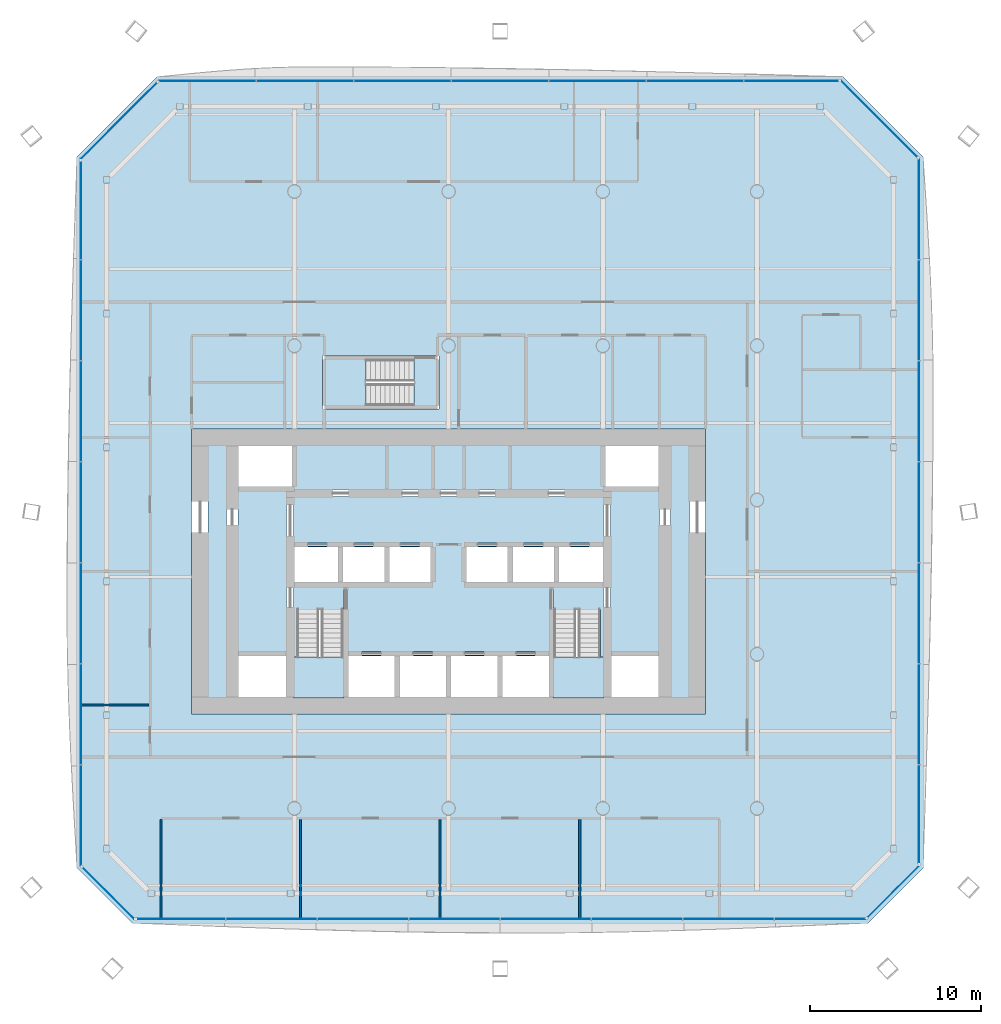
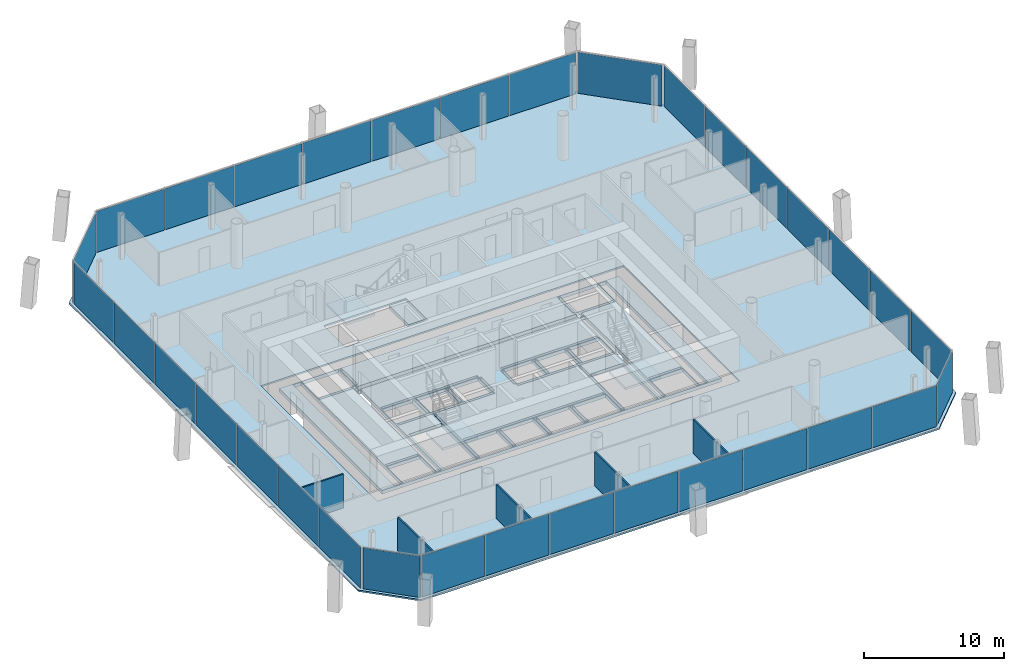
# One storey, part 10 of 19: 33 plates, 6 slabs, 5 walls, 11 elements without a shape of their own.
"""IFC4 building model written with IfcOpenShell, lengths in metres."""

import ifcopenshell
import ifcopenshell.guid

model = None  # the IFC model being written
_history = None  # IfcOwnerHistory: only IFC2X3 demands one
_inside = {}  # id of a spatial element -> (the spatial element, [elements in it])
_under = {}  # id of a project, library or spatial element -> (it, [spatial elements below it])
_declared = {}  # id of a project -> (the project, [libraries it declares])
_typed = {}  # id of a type object -> (the type object, [elements of that type])
_made_of = {}  # id of a material, layer set ... -> (it, [elements and type objects made of it])


def new_model(schema):
    """Start an empty IFC model of exactly this schema.

    Asked for "IFC4X3", IfcOpenShell would pick the latest addendum, in which some entities
    have other attributes; the version numbers below select the first issue.
    IFC2X3 requires an IfcOwnerHistory on every rooted entity: one is made here for all.
    """
    global model, _history
    if schema == "IFC4X3":
        model = ifcopenshell.file(schema_version=(4, 3, 0, 0))
    else:
        model = ifcopenshell.file(schema=schema)
    _inside.clear()
    _under.clear()
    _declared.clear()
    _typed.clear()
    _made_of.clear()
    _history = None
    if model.schema == "IFC2X3":
        org = make("IfcOrganization", Name="unknown")
        user = make(
            "IfcPersonAndOrganization",
            ThePerson=make("IfcPerson", FamilyName="unknown"),
            TheOrganization=org,
        )
        app = make(
            "IfcApplication",
            ApplicationDeveloper=org,
            Version="unknown",
            ApplicationFullName="unknown",
            ApplicationIdentifier="unknown",
        )
        _history = make(
            "IfcOwnerHistory",
            OwningUser=user,
            OwningApplication=app,
            ChangeAction="ADDED",
            CreationDate=0,
        )
    return model


def make(cls, **values):
    """One entity of the class cls with the attributes given. An attribute that is None is left unset."""
    return model.create_entity(
        cls, **{name: value for name, value in values.items() if value is not None}
    )


def rooted(cls, **values):
    """An entity with a GlobalId (a new one), such as an element, a storey or a relation."""
    return make(cls, GlobalId=ifcopenshell.guid.new(), OwnerHistory=_history, **values)


def si_unit(unit_type, name, prefix=None):
    """IfcSIUnit, for example si_unit("LENGTHUNIT", "METRE", prefix="MILLI")."""
    return make("IfcSIUnit", UnitType=unit_type, Prefix=prefix, Name=name)


def assignment(units):
    """IfcUnitAssignment: the units of a project."""
    return None if units is None else make("IfcUnitAssignment", Units=units)


def point(xyz):
    """IfcCartesianPoint."""
    return None if xyz is None else make("IfcCartesianPoint", Coordinates=xyz)


def direction(xyz):
    """IfcDirection."""
    return None if xyz is None else make("IfcDirection", DirectionRatios=xyz)


def frame(location, z_axis=None, x_axis=None):
    """IfcAxis2Placement3D, a coordinate frame: its origin and axes. An axis left out is left unset."""
    return make(
        "IfcAxis2Placement3D",
        Location=point(location),
        Axis=direction(z_axis),
        RefDirection=direction(x_axis),
    )


def frame_2d(location, x_axis=None):
    """IfcAxis2Placement2D, a coordinate frame in the plane: its origin and x axis."""
    return make(
        "IfcAxis2Placement2D", Location=point(location), RefDirection=direction(x_axis)
    )


def origin():
    """The frame at (0, 0, 0) with its axes left unset."""
    return frame((0.0, 0.0, 0.0))


def origin_2d():
    """The frame at (0, 0) in the plane with its x axis left unset."""
    return frame_2d((0.0, 0.0))


def place(relative_to, where):
    """IfcLocalPlacement: puts the frame where relative to a parent placement (None: the world)."""
    return make(
        "IfcLocalPlacement", PlacementRelTo=relative_to, RelativePlacement=where
    )


def context(
    kind, dimensions, precision=None, world=None, true_north=None, identifier=None
):
    """IfcGeometricRepresentationContext, for example the 3D "Model" context."""
    return make(
        "IfcGeometricRepresentationContext",
        ContextIdentifier=identifier,
        ContextType=kind,
        CoordinateSpaceDimension=dimensions,
        Precision=precision,
        WorldCoordinateSystem=world,
        TrueNorth=true_north,
    )


def subcontext(parent, identifier, kind, view, scale=None):
    """IfcGeometricRepresentationSubContext, for example "Body" below "Model"."""
    return make(
        "IfcGeometricRepresentationSubContext",
        ContextIdentifier=identifier,
        ContextType=kind,
        ParentContext=parent,
        TargetScale=scale,
        TargetView=view,
    )


def project(units=None, contexts=None):
    """IfcProject with its units and contexts."""
    return rooted(
        "IfcProject",
        Name="project",
        RepresentationContexts=contexts,
        UnitsInContext=assignment(units),
    )


def spatial(cls, under=None, at=None, **own):
    """A site, building, storey or space (cls), placed at a placement, below another one or the project."""
    s = rooted(cls, ObjectPlacement=at, **own)
    if under is not None:
        _under.setdefault(under.id(), (under, []))[1].append(s)
    return s


def polyline(points):
    """IfcPolyline through the points."""
    return make("IfcPolyline", Points=[point(p) for p in points])


def profile(cls, at=None, kind="AREA", **sizes):
    """A parametric profile (cls). Its sizes go by their IFC names, for example OverallWidth=200.0."""
    return make(cls, ProfileType=kind, Position=at, **sizes)


def rectangle(**sizes):
    """IfcRectangleProfileDef."""
    return profile("IfcRectangleProfileDef", **sizes)


def outline(outer, holes=None, kind="AREA"):
    """IfcArbitraryClosedProfileDef: a profile drawn as a closed curve; with holes, ...WithVoids."""
    if holes is None:
        return make("IfcArbitraryClosedProfileDef", ProfileType=kind, OuterCurve=outer)
    return make(
        "IfcArbitraryProfileDefWithVoids",
        ProfileType=kind,
        OuterCurve=outer,
        InnerCurves=holes,
    )


def extrude(swept, where, along, depth):
    """IfcExtrudedAreaSolid: the profile swept, set in the frame where, extruded along a direction by depth."""
    return make(
        "IfcExtrudedAreaSolid",
        SweptArea=swept,
        Position=where,
        ExtrudedDirection=direction(along),
        Depth=depth,
    )


def shape(context_of_items, identifier, shape_type, items):
    """IfcShapeRepresentation: the items that make up one representation, for example the "Body"."""
    return make(
        "IfcShapeRepresentation",
        ContextOfItems=context_of_items,
        RepresentationIdentifier=identifier,
        RepresentationType=shape_type,
        Items=items,
    )


def material(Name=None, Category=None):
    """IfcMaterial."""
    return make("IfcMaterial", Name=Name, Category=Category)


def layer(
    of_material, thickness, ventilated=None, Name=None, Category=None, Priority=None
):
    """IfcMaterialLayer: one layer of a wall or slab, of a material (None: an air gap)."""
    return make(
        "IfcMaterialLayer",
        Material=of_material,
        LayerThickness=thickness,
        IsVentilated=ventilated,
        Name=Name,
        Category=Category,
        Priority=Priority,
    )


def layer_set(layers, Name=None):
    """IfcMaterialLayerSet."""
    return make("IfcMaterialLayerSet", MaterialLayers=layers, LayerSetName=Name)


def made_of(thing, what):
    """Note that an element or type object is made of a material, layer set ...; save() writes the relation."""
    if what is not None:
        _made_of.setdefault(what.id(), (what, []))[1].append(thing)
    return thing


def type_object(cls, material=None, **own):
    """A type object (cls), such as IfcWallType, which elements share."""
    return made_of(rooted(cls, **own), material)


def element(
    cls,
    number,
    at=None,
    inside=None,
    cuts=None,
    type_object=None,
    material=None,
    context=None,
    identifier="Body",
    shape_type=None,
    held_by="IfcProductDefinitionShape",
    body=None,
    shapes=None,
    **own,
):
    """One element of the class cls, such as IfcWall. Its Tag is "e" and its number.

    at: its placement. inside: the storey or other place that contains it. cuts: it is an
    opening in that element (IfcRelVoidsElement). A single representation is given by context,
    identifier, shape_type and body (its items); several are given by shapes. held_by: the class
    of the entity that holds the representations. save() writes the other relations.
    """
    e = rooted(cls, Tag="e%d" % number, ObjectPlacement=at, **own)
    if body is not None:
        shapes = [shape(context, identifier, shape_type, body)]
    if shapes is not None:
        e.Representation = make(held_by, Representations=shapes)
    if inside is not None:
        _inside.setdefault(inside.id(), (inside, []))[1].append(e)
    if cuts is not None:
        rooted(
            "IfcRelVoidsElement", RelatingBuildingElement=cuts, RelatedOpeningElement=e
        )
    if type_object is not None:
        _typed.setdefault(type_object.id(), (type_object, []))[1].append(e)
    return made_of(e, material)


def aggregate(whole, parts):
    """IfcRelAggregates: a whole, such as a stair, and the parts it consists of."""
    return rooted("IfcRelAggregates", RelatingObject=whole, RelatedObjects=parts)


def save(model, path):
    """Write the relations noted so far, then the file.

    IfcRelAggregates (storeys below a building ...), IfcRelContainedInSpatialStructure (elements
    in a storey), IfcRelDefinesByType, IfcRelAssociatesMaterial and IfcRelDeclares: one each for
    every whole, place, type object, material and project.
    """
    for whole, parts in _under.values():
        aggregate(whole, parts)
    for where, things in _inside.values():
        rooted(
            "IfcRelContainedInSpatialStructure",
            RelatedElements=things,
            RelatingStructure=where,
        )
    for kind, things in _typed.values():
        rooted("IfcRelDefinesByType", RelatedObjects=things, RelatingType=kind)
    for what, things in _made_of.values():
        rooted("IfcRelAssociatesMaterial", RelatedObjects=things, RelatingMaterial=what)
    for by, libraries in _declared.values():
        rooted("IfcRelDeclares", RelatingContext=by, RelatedDefinitions=libraries)
    model.write(path)


model = new_model("IFC4")

# Units and contexts
model_context = context("Model", 3, precision=1e-05, world=origin(), true_north=direction((0.0, 1.0)))
body_context = subcontext(model_context, "Body", "Model", "MODEL_VIEW")
ifc_project = project(units=[si_unit("LENGTHUNIT", "METRE"), si_unit("AREAUNIT", "SQUARE_METRE"), si_unit("VOLUMEUNIT", "CUBIC_METRE"), si_unit("PLANEANGLEUNIT", "RADIAN"), si_unit("MASSUNIT", "GRAM", prefix="KILO")], contexts=[model_context])

# Site, building, storey
site_placement = place(None, origin())
site = spatial("IfcSite", under=ifc_project, at=site_placement, CompositionType="ELEMENT")
building_placement = place(site_placement, origin())
building = spatial("IfcBuilding", under=site, at=building_placement, Name="Tskaro Facet Tower", CompositionType="ELEMENT")
storey_placement = place(building_placement, frame((0.0, 0.0, 89.39990234375)))
storey = spatial("IfcBuildingStorey", under=building, at=storey_placement, Name="L21", CompositionType="ELEMENT", Elevation=89.39990234375)

# Slab
ifc_material_1 = material(Name="Concrete C30/37", Category="concrete")
ifc_layer_1 = layer(ifc_material_1, 0.139892578125, Name="Concrete C30/37")
ifc_layer_set_1 = layer_set([ifc_layer_1], Name="Concrete C30/37")
slab_type_1 = type_object("IfcSlabType", Name="Composite deck floor slab", PredefinedType="FLOOR", material=ifc_layer_set_1)
slab_1_placement = place(storey_placement, frame((0.0, 0.0, -0.139892578125)))
element("IfcSlab", 1, at=slab_1_placement, inside=storey, type_object=slab_type_1, Name="Floor slab FS3 L21", PredefinedType="FLOOR", context=body_context, shape_type="SweptSolid", body=[
    extrude(outline(polyline([(-18.451904296875, -24.712890625), (24.451904296875, -24.712890625), (27.712890625, -21.451904296875), (27.712890625, 20.01708984375), (23.01708984375, 24.712890625), (-17.01708984375, 24.712890625), (-21.712890625, 20.01708984375), (-21.712890625, -21.451904296875), (-18.451904296875, -24.712890625)]), holes=[polyline([(-15.0, -12.5), (15.0, -12.5), (15.0, 4.14990234375), (-15.0, 4.14990234375), (-15.0, -12.5)]), polyline([(-7.35009765625, 5.300048828125), (-0.550048828125, 5.300048828125), (-0.550048828125, 8.39990234375), (-7.35009765625, 8.39990234375), (-7.35009765625, 5.300048828125)])]), origin(), (0.0, 0.0, 1.0), 0.139892578125),
])

# Curtain wall, plates
ifc_material_2 = material(Name="Bronze anodised aluminium 6063-T6", Category="aluminium")
curtain_wall_type = type_object("IfcCurtainWallType", Name="Bronze office curtain wall (FW1)", PredefinedType="NOTDEFINED", material=ifc_material_2)
curtain_wall_1_placement = place(storey_placement, origin())
curtain_wall_1 = element("IfcCurtainWall", 2, at=curtain_wall_1_placement, inside=storey, type_object=curtain_wall_type, Name="FW1 south facet L21", PredefinedType="NOTDEFINED")
ifc_material_3 = material(Name="Bronze tinted glass", Category="glass")
ifc_layer_2 = layer(ifc_material_3, 0.031982421875, Name="Bronze tinted glass")
ifc_layer_set_2 = layer_set([ifc_layer_2], Name="Bronze tinted glass")
plate_type = type_object("IfcPlateType", Name="FW1 bronze-tinted unit glazing 32", PredefinedType="CURTAIN_PANEL", material=ifc_layer_set_2)
plate_1_placement = place(storey_placement, frame((-15.614501953125, -24.462890625, 0.0), z_axis=(0.0, 0.0, 1.0), x_axis=(1.0, 0.0, 0.0)))
plate_1 = element("IfcPlate", 3, at=plate_1_placement, type_object=plate_type, Name="FW1 south glazing 1.1", PredefinedType="CURTAIN_PANEL", context=body_context, shape_type="SweptSolid", body=[
    extrude(rectangle(XDim=5.14697265625, YDim=0.031982421875, at=origin_2d()), origin(), (0.0, 0.0, 1.0), 3.60009765625),
])
plate_2_placement = place(storey_placement, frame((-10.342529296875, -24.462890625, 0.0), z_axis=(0.0, 0.0, 1.0), x_axis=(1.0, 0.0, 0.0)))
plate_2 = element("IfcPlate", 4, at=plate_2_placement, type_object=plate_type, Name="FW1 south glazing 2.1", PredefinedType="CURTAIN_PANEL", context=body_context, shape_type="SweptSolid", body=[
    extrude(rectangle(XDim=5.277099609375, YDim=0.031982421875, at=origin_2d()), origin(), (0.0, 0.0, 1.0), 3.60009765625),
])
plate_3_placement = place(storey_placement, frame((-5.005615234375, -24.462890625, 0.0), z_axis=(0.0, 0.0, 1.0), x_axis=(1.0, 0.0, 0.0)))
plate_3 = element("IfcPlate", 5, at=plate_3_placement, type_object=plate_type, Name="FW1 south glazing 3.1", PredefinedType="CURTAIN_PANEL", context=body_context, shape_type="SweptSolid", body=[
    extrude(rectangle(XDim=5.277099609375, YDim=0.031982421875, at=origin_2d()), origin(), (0.0, 0.0, 1.0), 3.60009765625),
])
plate_4_placement = place(storey_placement, frame((0.33154296875, -24.462890625, 0.0), z_axis=(0.0, 0.0, 1.0), x_axis=(1.0, 0.0, 0.0)))
plate_4 = element("IfcPlate", 6, at=plate_4_placement, type_object=plate_type, Name="FW1 south glazing 4.1", PredefinedType="CURTAIN_PANEL", context=body_context, shape_type="SweptSolid", body=[
    extrude(rectangle(XDim=5.277099609375, YDim=0.031982421875, at=origin_2d()), origin(), (0.0, 0.0, 1.0), 3.60009765625),
])
plate_5_placement = place(storey_placement, frame((5.66845703125, -24.462890625, 0.0), z_axis=(0.0, 0.0, 1.0), x_axis=(1.0, 0.0, 0.0)))
plate_5 = element("IfcPlate", 7, at=plate_5_placement, type_object=plate_type, Name="FW1 south glazing 5.1", PredefinedType="CURTAIN_PANEL", context=body_context, shape_type="SweptSolid", body=[
    extrude(rectangle(XDim=5.277099609375, YDim=0.031982421875, at=origin_2d()), origin(), (0.0, 0.0, 1.0), 3.60009765625),
])
plate_6_placement = place(storey_placement, frame((11.005615234375, -24.462890625, 0.0), z_axis=(0.0, 0.0, 1.0), x_axis=(1.0, 0.0, 0.0)))
plate_6 = element("IfcPlate", 8, at=plate_6_placement, type_object=plate_type, Name="FW1 south glazing 6.1", PredefinedType="CURTAIN_PANEL", context=body_context, shape_type="SweptSolid", body=[
    extrude(rectangle(XDim=5.277099609375, YDim=0.031982421875, at=origin_2d()), origin(), (0.0, 0.0, 1.0), 3.60009765625),
])
plate_7_placement = place(storey_placement, frame((16.342529296875, -24.462890625, 0.0), z_axis=(0.0, 0.0, 1.0), x_axis=(1.0, 0.0, 0.0)))
plate_7 = element("IfcPlate", 9, at=plate_7_placement, type_object=plate_type, Name="FW1 south glazing 7.1", PredefinedType="CURTAIN_PANEL", context=body_context, shape_type="SweptSolid", body=[
    extrude(rectangle(XDim=5.277099609375, YDim=0.031982421875, at=origin_2d()), origin(), (0.0, 0.0, 1.0), 3.60009765625),
])
plate_8_placement = place(storey_placement, frame((21.694580078125, -24.462890625, 0.0), z_axis=(0.0, 0.0, 1.0), x_axis=(1.0, 0.0, 0.0)))
plate_8 = element("IfcPlate", 10, at=plate_8_placement, type_object=plate_type, Name="FW1 south glazing 8.1", PredefinedType="CURTAIN_PANEL", context=body_context, shape_type="SweptSolid", body=[
    extrude(rectangle(XDim=5.306884765625, YDim=0.031982421875, at=origin_2d()), origin(), (0.0, 0.0, 1.0), 3.60009765625),
])
aggregate(curtain_wall_1, [plate_1, plate_2, plate_3, plate_4, plate_5, plate_6, plate_7, plate_8])

# Curtain wall, plate
curtain_wall_2_placement = place(storey_placement, origin())
curtain_wall_2 = element("IfcCurtainWall", 11, at=curtain_wall_2_placement, inside=storey, type_object=curtain_wall_type, Name="FW1 south-east facet L21", PredefinedType="NOTDEFINED")
plate_9_placement = place(storey_placement, frame((25.962158203125, -22.848876953125, 0.0), z_axis=(0.0, 0.0, 1.0), x_axis=(0.707106781187, 0.707106781187, 0.0)))
plate_9 = element("IfcPlate", 12, at=plate_9_placement, type_object=plate_type, Name="FW1 south-east glazing 1.1", PredefinedType="CURTAIN_PANEL", context=body_context, shape_type="SweptSolid", body=[
    extrude(rectangle(XDim=4.245361328125, YDim=0.031982421875, at=origin_2d()), origin(), (0.0, 0.0, 1.0), 3.60009765625),
])
aggregate(curtain_wall_2, [plate_9])

# Curtain wall, plates
curtain_wall_3_placement = place(storey_placement, origin())
curtain_wall_3 = element("IfcCurtainWall", 13, at=curtain_wall_3_placement, inside=storey, type_object=curtain_wall_type, Name="FW1 east facet L21", PredefinedType="NOTDEFINED")
plate_10_placement = place(storey_placement, frame((27.462890625, -18.335693359375, 0.0), z_axis=(0.0, 0.0, 1.0), x_axis=(0.0, 1.0, 0.0)))
plate_10 = element("IfcPlate", 14, at=plate_10_placement, type_object=plate_type, Name="FW1 east glazing 1.1", PredefinedType="CURTAIN_PANEL", context=body_context, shape_type="SweptSolid", body=[
    extrude(rectangle(XDim=5.704345703125, YDim=0.031982421875, at=origin_2d()), origin(), (0.0, 0.0, 1.0), 3.60009765625),
])
plate_11_placement = place(storey_placement, frame((27.462890625, -12.50634765625, 0.0), z_axis=(0.0, 0.0, 1.0), x_axis=(0.0, 1.0, 0.0)))
plate_11 = element("IfcPlate", 15, at=plate_11_placement, type_object=plate_type, Name="FW1 east glazing 2.1", PredefinedType="CURTAIN_PANEL", context=body_context, shape_type="SweptSolid", body=[
    extrude(rectangle(XDim=5.83447265625, YDim=0.031982421875, at=origin_2d()), origin(), (0.0, 0.0, 1.0), 3.60009765625),
])
plate_12_placement = place(storey_placement, frame((27.462890625, -6.61181640625, 0.0), z_axis=(0.0, 0.0, 1.0), x_axis=(0.0, 1.0, 0.0)))
plate_12 = element("IfcPlate", 16, at=plate_12_placement, type_object=plate_type, Name="FW1 east glazing 3.1", PredefinedType="CURTAIN_PANEL", context=body_context, shape_type="SweptSolid", body=[
    extrude(rectangle(XDim=5.83447265625, YDim=0.031982421875, at=origin_2d()), origin(), (0.0, 0.0, 1.0), 3.60009765625),
])
plate_13_placement = place(storey_placement, frame((27.462890625, -0.717529296875, 0.0), z_axis=(0.0, 0.0, 1.0), x_axis=(0.0, 1.0, 0.0)))
plate_13 = element("IfcPlate", 17, at=plate_13_placement, type_object=plate_type, Name="FW1 east glazing 4.1", PredefinedType="CURTAIN_PANEL", context=body_context, shape_type="SweptSolid", body=[
    extrude(rectangle(XDim=5.83447265625, YDim=0.031982421875, at=origin_2d()), origin(), (0.0, 0.0, 1.0), 3.60009765625),
])
plate_14_placement = place(storey_placement, frame((27.462890625, 5.177001953125, 0.0), z_axis=(0.0, 0.0, 1.0), x_axis=(0.0, 1.0, 0.0)))
plate_14 = element("IfcPlate", 18, at=plate_14_placement, type_object=plate_type, Name="FW1 east glazing 5.1", PredefinedType="CURTAIN_PANEL", context=body_context, shape_type="SweptSolid", body=[
    extrude(rectangle(XDim=5.83447265625, YDim=0.031982421875, at=origin_2d()), origin(), (0.0, 0.0, 1.0), 3.60009765625),
])
plate_15_placement = place(storey_placement, frame((27.462890625, 11.0712890625, 0.0), z_axis=(0.0, 0.0, 1.0), x_axis=(0.0, 1.0, 0.0)))
plate_15 = element("IfcPlate", 19, at=plate_15_placement, type_object=plate_type, Name="FW1 east glazing 6.1", PredefinedType="CURTAIN_PANEL", context=body_context, shape_type="SweptSolid", body=[
    extrude(rectangle(XDim=5.83447265625, YDim=0.031982421875, at=origin_2d()), origin(), (0.0, 0.0, 1.0), 3.60009765625),
])
plate_16_placement = place(storey_placement, frame((27.462890625, 16.980712890625, 0.0), z_axis=(0.0, 0.0, 1.0), x_axis=(0.0, 1.0, 0.0)))
plate_16 = element("IfcPlate", 20, at=plate_16_placement, type_object=plate_type, Name="FW1 east glazing 7.1", PredefinedType="CURTAIN_PANEL", context=body_context, shape_type="SweptSolid", body=[
    extrude(rectangle(XDim=5.864501953125, YDim=0.031982421875, at=origin_2d()), origin(), (0.0, 0.0, 1.0), 3.60009765625),
])
aggregate(curtain_wall_3, [plate_10, plate_11, plate_12, plate_13, plate_14, plate_15, plate_16])

# Curtain wall, plate
curtain_wall_4_placement = place(storey_placement, origin())
curtain_wall_4 = element("IfcCurtainWall", 21, at=curtain_wall_4_placement, inside=storey, type_object=curtain_wall_type, Name="FW1 north-east facet L21", PredefinedType="NOTDEFINED")
plate_17_placement = place(storey_placement, frame((25.13134765625, 22.24462890625, 0.0), z_axis=(0.0, 0.0, 1.0), x_axis=(-0.707106781187, 0.707106781187, 0.0)))
plate_17 = element("IfcPlate", 22, at=plate_17_placement, type_object=plate_type, Name="FW1 north-east glazing 1.1", PredefinedType="CURTAIN_PANEL", context=body_context, shape_type="SweptSolid", body=[
    extrude(rectangle(XDim=6.274658203125, YDim=0.031982421875, at=origin_2d()), origin(), (0.0, 0.0, 1.0), 3.60009765625),
])
aggregate(curtain_wall_4, [plate_17])

# Curtain wall, plates
curtain_wall_5_placement = place(storey_placement, origin())
curtain_wall_5 = element("IfcCurtainWall", 23, at=curtain_wall_5_placement, inside=storey, type_object=curtain_wall_type, Name="FW1 north facet L21", PredefinedType="NOTDEFINED")
plate_18_placement = place(storey_placement, frame((20.003173828125, 24.462890625, 0.0), z_axis=(0.0, 0.0, 1.0), x_axis=(-1.0, 0.0, 0.0)))
plate_18 = element("IfcPlate", 24, at=plate_18_placement, type_object=plate_type, Name="FW1 north glazing 1.1", PredefinedType="CURTAIN_PANEL", context=body_context, shape_type="SweptSolid", body=[
    extrude(rectangle(XDim=5.49951171875, YDim=0.031982421875, at=origin_2d()), origin(), (0.0, 0.0, 1.0), 3.60009765625),
])
plate_19_placement = place(storey_placement, frame((14.37890625, 24.462890625, 0.0), z_axis=(0.0, 0.0, 1.0), x_axis=(-1.0, 0.0, 0.0)))
plate_19 = element("IfcPlate", 25, at=plate_19_placement, type_object=plate_type, Name="FW1 north glazing 2.1", PredefinedType="CURTAIN_PANEL", context=body_context, shape_type="SweptSolid", body=[
    extrude(rectangle(XDim=5.62939453125, YDim=0.031982421875, at=origin_2d()), origin(), (0.0, 0.0, 1.0), 3.60009765625),
])
plate_20_placement = place(storey_placement, frame((8.689453125, 24.462890625, 0.0), z_axis=(0.0, 0.0, 1.0), x_axis=(-1.0, 0.0, 0.0)))
plate_20 = element("IfcPlate", 26, at=plate_20_placement, type_object=plate_type, Name="FW1 north glazing 3.1", PredefinedType="CURTAIN_PANEL", context=body_context, shape_type="SweptSolid", body=[
    extrude(rectangle(XDim=5.62939453125, YDim=0.031982421875, at=origin_2d()), origin(), (0.0, 0.0, 1.0), 3.60009765625),
])
plate_21_placement = place(storey_placement, frame((3.0, 24.462890625, 0.0), z_axis=(0.0, 0.0, 1.0), x_axis=(-1.0, 0.0, 0.0)))
plate_21 = element("IfcPlate", 27, at=plate_21_placement, type_object=plate_type, Name="FW1 north glazing 4.1", PredefinedType="CURTAIN_PANEL", context=body_context, shape_type="SweptSolid", body=[
    extrude(rectangle(XDim=5.62939453125, YDim=0.031982421875, at=origin_2d()), origin(), (0.0, 0.0, 1.0), 3.60009765625),
])
plate_22_placement = place(storey_placement, frame((-2.689453125, 24.462890625, 0.0), z_axis=(0.0, 0.0, 1.0), x_axis=(-1.0, 0.0, 0.0)))
plate_22 = element("IfcPlate", 28, at=plate_22_placement, type_object=plate_type, Name="FW1 north glazing 5.1", PredefinedType="CURTAIN_PANEL", context=body_context, shape_type="SweptSolid", body=[
    extrude(rectangle(XDim=5.62939453125, YDim=0.031982421875, at=origin_2d()), origin(), (0.0, 0.0, 1.0), 3.60009765625),
])
plate_23_placement = place(storey_placement, frame((-8.37890625, 24.462890625, 0.0), z_axis=(0.0, 0.0, 1.0), x_axis=(-1.0, 0.0, 0.0)))
plate_23 = element("IfcPlate", 29, at=plate_23_placement, type_object=plate_type, Name="FW1 north glazing 6.1", PredefinedType="CURTAIN_PANEL", context=body_context, shape_type="SweptSolid", body=[
    extrude(rectangle(XDim=5.62939453125, YDim=0.031982421875, at=origin_2d()), origin(), (0.0, 0.0, 1.0), 3.60009765625),
])
plate_24_placement = place(storey_placement, frame((-14.083251953125, 24.462890625, 0.0), z_axis=(0.0, 0.0, 1.0), x_axis=(-1.0, 0.0, 0.0)))
plate_24 = element("IfcPlate", 30, at=plate_24_placement, type_object=plate_type, Name="FW1 north glazing 7.1", PredefinedType="CURTAIN_PANEL", context=body_context, shape_type="SweptSolid", body=[
    extrude(rectangle(XDim=5.659423828125, YDim=0.031982421875, at=origin_2d()), origin(), (0.0, 0.0, 1.0), 3.60009765625),
])
aggregate(curtain_wall_5, [plate_18, plate_19, plate_20, plate_21, plate_22, plate_23, plate_24])

# Curtain wall, plate
curtain_wall_6_placement = place(storey_placement, origin())
curtain_wall_6 = element("IfcCurtainWall", 31, at=curtain_wall_6_placement, inside=storey, type_object=curtain_wall_type, Name="FW1 north-west facet L21", PredefinedType="NOTDEFINED")
plate_25_placement = place(storey_placement, frame((-19.24462890625, 22.13134765625, 0.0), z_axis=(0.0, 0.0, 1.0), x_axis=(-0.707106781187, -0.707106781187, 0.0)))
plate_25 = element("IfcPlate", 32, at=plate_25_placement, type_object=plate_type, Name="FW1 north-west glazing 1.1", PredefinedType="CURTAIN_PANEL", context=body_context, shape_type="SweptSolid", body=[
    extrude(rectangle(XDim=6.274658203125, YDim=0.031982421875, at=origin_2d()), origin(), (0.0, 0.0, 1.0), 3.60009765625),
])
aggregate(curtain_wall_6, [plate_25])

# Curtain wall, plates
curtain_wall_7_placement = place(storey_placement, origin())
curtain_wall_7 = element("IfcCurtainWall", 33, at=curtain_wall_7_placement, inside=storey, type_object=curtain_wall_type, Name="FW1 west facet L21", PredefinedType="NOTDEFINED")
plate_26_placement = place(storey_placement, frame((-21.462890625, 16.90087890625, 0.0), z_axis=(0.0, 0.0, 1.0), x_axis=(0.0, -1.0, 0.0)))
plate_26 = element("IfcPlate", 34, at=plate_26_placement, type_object=plate_type, Name="FW1 west glazing 1.1", PredefinedType="CURTAIN_PANEL", context=body_context, shape_type="SweptSolid", body=[
    extrude(rectangle(XDim=5.704345703125, YDim=0.031982421875, at=origin_2d()), origin(), (0.0, 0.0, 1.0), 3.60009765625),
])
plate_27_placement = place(storey_placement, frame((-21.462890625, 11.0712890625, 0.0), z_axis=(0.0, 0.0, 1.0), x_axis=(0.0, -1.0, 0.0)))
plate_27 = element("IfcPlate", 35, at=plate_27_placement, type_object=plate_type, Name="FW1 west glazing 2.1", PredefinedType="CURTAIN_PANEL", context=body_context, shape_type="SweptSolid", body=[
    extrude(rectangle(XDim=5.83447265625, YDim=0.031982421875, at=origin_2d()), origin(), (0.0, 0.0, 1.0), 3.60009765625),
])
plate_28_placement = place(storey_placement, frame((-21.462890625, 5.177001953125, 0.0), z_axis=(0.0, 0.0, 1.0), x_axis=(0.0, -1.0, 0.0)))
plate_28 = element("IfcPlate", 36, at=plate_28_placement, type_object=plate_type, Name="FW1 west glazing 3.1", PredefinedType="CURTAIN_PANEL", context=body_context, shape_type="SweptSolid", body=[
    extrude(rectangle(XDim=5.83447265625, YDim=0.031982421875, at=origin_2d()), origin(), (0.0, 0.0, 1.0), 3.60009765625),
])
plate_29_placement = place(storey_placement, frame((-21.462890625, -0.717529296875, 0.0), z_axis=(0.0, 0.0, 1.0), x_axis=(0.0, -1.0, 0.0)))
plate_29 = element("IfcPlate", 37, at=plate_29_placement, type_object=plate_type, Name="FW1 west glazing 4.1", PredefinedType="CURTAIN_PANEL", context=body_context, shape_type="SweptSolid", body=[
    extrude(rectangle(XDim=5.83447265625, YDim=0.031982421875, at=origin_2d()), origin(), (0.0, 0.0, 1.0), 3.60009765625),
])
plate_30_placement = place(storey_placement, frame((-21.462890625, -6.61181640625, 0.0), z_axis=(0.0, 0.0, 1.0), x_axis=(0.0, -1.0, 0.0)))
plate_30 = element("IfcPlate", 38, at=plate_30_placement, type_object=plate_type, Name="FW1 west glazing 5.1", PredefinedType="CURTAIN_PANEL", context=body_context, shape_type="SweptSolid", body=[
    extrude(rectangle(XDim=5.83447265625, YDim=0.031982421875, at=origin_2d()), origin(), (0.0, 0.0, 1.0), 3.60009765625),
])
plate_31_placement = place(storey_placement, frame((-21.462890625, -12.50634765625, 0.0), z_axis=(0.0, 0.0, 1.0), x_axis=(0.0, -1.0, 0.0)))
plate_31 = element("IfcPlate", 39, at=plate_31_placement, type_object=plate_type, Name="FW1 west glazing 6.1", PredefinedType="CURTAIN_PANEL", context=body_context, shape_type="SweptSolid", body=[
    extrude(rectangle(XDim=5.83447265625, YDim=0.031982421875, at=origin_2d()), origin(), (0.0, 0.0, 1.0), 3.60009765625),
])
plate_32_placement = place(storey_placement, frame((-21.462890625, -18.415771484375, 0.0), z_axis=(0.0, 0.0, 1.0), x_axis=(0.0, -1.0, 0.0)))
plate_32 = element("IfcPlate", 40, at=plate_32_placement, type_object=plate_type, Name="FW1 west glazing 7.1", PredefinedType="CURTAIN_PANEL", context=body_context, shape_type="SweptSolid", body=[
    extrude(rectangle(XDim=5.864501953125, YDim=0.031982421875, at=origin_2d()), origin(), (0.0, 0.0, 1.0), 3.60009765625),
])
aggregate(curtain_wall_7, [plate_26, plate_27, plate_28, plate_29, plate_30, plate_31, plate_32])

# Curtain wall, plate
curtain_wall_8_placement = place(storey_placement, origin())
curtain_wall_8 = element("IfcCurtainWall", 41, at=curtain_wall_8_placement, inside=storey, type_object=curtain_wall_type, Name="FW1 south-west facet L21", PredefinedType="NOTDEFINED")
plate_33_placement = place(storey_placement, frame((-19.848876953125, -22.962158203125, 0.0), z_axis=(0.0, 0.0, 1.0), x_axis=(0.707106781187, -0.707106781187, 0.0)))
plate_33 = element("IfcPlate", 42, at=plate_33_placement, type_object=plate_type, Name="FW1 south-west glazing 1.1", PredefinedType="CURTAIN_PANEL", context=body_context, shape_type="SweptSolid", body=[
    extrude(rectangle(XDim=4.245361328125, YDim=0.031982421875, at=origin_2d()), origin(), (0.0, 0.0, 1.0), 3.60009765625),
])
aggregate(curtain_wall_8, [plate_33])

# Stair, slab
ifc_material_4 = material(Name="Concrete C40/50", Category="concrete")
stair_type = type_object("IfcStairType", Name="ST-TWR", PredefinedType="HALF_TURN_STAIR", material=ifc_material_4)
stair_1_placement = place(storey_placement, origin())
stair_1 = element("IfcStair", 43, at=stair_1_placement, inside=storey, type_object=stair_type, Name="L21 Exit stair 1", PredefinedType="HALF_TURN_STAIR")
ifc_layer_3 = layer(ifc_material_4, 0.199951171875, Name="Concrete C40/50")
ifc_layer_set_3 = layer_set([ifc_layer_3], Name="Concrete C40/50")
slab_type_2 = type_object("IfcSlabType", Name="SL-LANDING", PredefinedType="LANDING", material=ifc_layer_set_3)
slab_2_placement = place(storey_placement, frame((0.0, 0.0, 1.75)))
slab_2 = element("IfcSlab", 44, at=slab_2_placement, type_object=slab_type_2, Name="ST-1 landing 1", PredefinedType="LANDING", context=body_context, shape_type="SweptSolid", body=[
    extrude(outline(polyline([(-9.050048828125, -11.550048828125), (-6.10009765625, -11.550048828125), (-6.10009765625, -9.175048828125), (-9.050048828125, -9.175048828125), (-9.050048828125, -11.550048828125)])), origin(), (0.0, 0.0, 1.0), 0.2001953125),
])
aggregate(stair_1, [slab_2])

stair_2_placement = place(storey_placement, origin())
stair_2 = element("IfcStair", 45, at=stair_2_placement, inside=storey, type_object=stair_type, Name="L21 Exit stair 2", PredefinedType="HALF_TURN_STAIR")
slab_3_placement = place(storey_placement, frame((0.0, 0.0, 1.75)))
slab_3 = element("IfcSlab", 46, at=slab_3_placement, type_object=slab_type_2, Name="ST-2 landing 1", PredefinedType="LANDING", context=body_context, shape_type="SweptSolid", body=[
    extrude(outline(polyline([(6.10009765625, -11.550048828125), (9.050048828125, -11.550048828125), (9.050048828125, -9.175048828125), (6.10009765625, -9.175048828125), (6.10009765625, -11.550048828125)])), origin(), (0.0, 0.0, 1.0), 0.2001953125),
])
aggregate(stair_2, [slab_3])

stair_3_placement = place(storey_placement, origin())
stair_3 = element("IfcStair", 47, at=stair_3_placement, inside=storey, type_object=stair_type, Name="L21 Exit stair 3", PredefinedType="HALF_TURN_STAIR")
slab_4_placement = place(storey_placement, frame((0.0, 0.0, 1.75)))
slab_4 = element("IfcSlab", 48, at=slab_4_placement, type_object=slab_type_2, Name="ST-3 landing 1", PredefinedType="LANDING", context=body_context, shape_type="SweptSolid", body=[
    extrude(outline(polyline([(-7.199951171875, 5.449951171875), (-4.824951171875, 5.449951171875), (-4.824951171875, 8.25), (-7.199951171875, 8.25), (-7.199951171875, 5.449951171875)])), origin(), (0.0, 0.0, 1.0), 0.2001953125),
])
aggregate(stair_3, [slab_4])

# Slabs
ifc_material_5 = material(Name="Concrete C60/75", Category="concrete")
ifc_layer_4 = layer(ifc_material_5, 0.300048828125, Name="Concrete C60/75")
ifc_layer_set_4 = layer_set([ifc_layer_4], Name="Concrete C60/75")
slab_type_3 = type_object("IfcSlabType", Name="SLAB-CORE", PredefinedType="FLOOR", material=ifc_layer_set_4)
slab_5_placement = place(storey_placement, frame((0.0, 0.0, -0.2998046875)))
element("IfcSlab", 49, at=slab_5_placement, inside=storey, type_object=slab_type_3, Name="Core floor slab 1", PredefinedType="FLOOR", context=body_context, shape_type="SweptSolid", body=[
    extrude(outline(polyline([(-14.050048828125, 3.199951171875), (14.050048828125, 3.199951171875), (14.050048828125, 3.10009765625), (14.050048828125, -11.449951171875), (14.050048828125, -11.550048828125), (-14.050048828125, -11.550048828125), (-14.050048828125, -11.449951171875), (-14.050048828125, 3.10009765625), (-14.050048828125, 3.199951171875)]), holes=[polyline([(-9.5, -9.10009765625), (-12.25, -9.10009765625), (-12.25, -11.5), (-9.5, -11.5), (-9.5, -9.10009765625)]), polyline([(-3.14990234375, -9.10009765625), (-5.85009765625, -9.10009765625), (-5.85009765625, -11.5), (-3.14990234375, -11.5), (-3.14990234375, -9.10009765625)]), polyline([(-12.199951171875, -8.85009765625), (-12.199951171875, -9.050048828125), (-9.550048828125, -9.050048828125), (-9.550048828125, -8.85009765625), (-12.199951171875, -8.85009765625)]), polyline([(-6.10009765625, -11.449951171875), (-5.89990234375, -11.449951171875), (-5.89990234375, -5.14990234375), (-6.10009765625, -5.14990234375), (-6.10009765625, -11.449951171875)]), polyline([(-9.449951171875, 0.10009765625), (-9.449951171875, -11.449951171875), (-9.050048828125, -11.449951171875), (-9.050048828125, 0.10009765625), (-9.449951171875, 0.10009765625)]), polyline([(-8.949951171875, -4.85009765625), (-8.949951171875, -5.050048828125), (-0.949951171875, -5.050048828125), (-0.949951171875, -4.85009765625), (-8.949951171875, -4.85009765625)]), polyline([(-12.949951171875, -11.449951171875), (-12.300048828125, -11.449951171875), (-12.300048828125, 3.10009765625), (-12.949951171875, 3.10009765625), (-12.949951171875, -11.449951171875)]), polyline([(-6.449951171875, -4.800048828125), (-6.449951171875, -2.75), (-9.0, -2.75), (-9.0, -4.800048828125), (-6.449951171875, -4.800048828125)]), polyline([(-3.75, -2.75), (-6.14990234375, -2.75), (-6.14990234375, -4.800048828125), (-3.75, -4.800048828125), (-3.75, -2.75)]), polyline([(-6.39990234375, -2.800048828125), (-6.39990234375, -4.75), (-6.199951171875, -4.75), (-6.199951171875, -2.800048828125), (-6.39990234375, -2.800048828125)]), polyline([(-8.949951171875, -2.5), (-8.949951171875, -2.699951171875), (-0.949951171875, -2.699951171875), (-0.949951171875, -2.5), (-8.949951171875, -2.5)]), polyline([(9.449951171875, 0.550048828125), (12.199951171875, 0.550048828125), (12.199951171875, 0.75), (9.050048828125, 0.75), (9.050048828125, 0.60009765625), (-9.050048828125, 0.60009765625), (-9.050048828125, 0.75), (-12.199951171875, 0.75), (-12.199951171875, 0.550048828125), (-9.449951171875, 0.550048828125), (-9.449951171875, 0.199951171875), (9.449951171875, 0.199951171875), (9.449951171875, 0.550048828125)]), polyline([(-9.10009765625, 3.10009765625), (-9.10009765625, 0.85009765625), (-8.89990234375, 0.85009765625), (-8.89990234375, 3.10009765625), (-9.10009765625, 3.10009765625)]), polyline([(-9.14990234375, 0.800048828125), (-9.14990234375, 3.14990234375), (-12.25, 3.14990234375), (-12.25, 0.800048828125), (-9.14990234375, 0.800048828125)]), polyline([(2.89990234375, -11.449951171875), (3.10009765625, -11.449951171875), (3.10009765625, -9.14990234375), (2.89990234375, -9.14990234375), (2.89990234375, -11.449951171875)]), polyline([(-3.10009765625, -9.14990234375), (-3.10009765625, -11.449951171875), (-2.89990234375, -11.449951171875), (-2.89990234375, -9.14990234375), (-3.10009765625, -9.14990234375)]), polyline([(2.85009765625, -9.10009765625), (0.14990234375, -9.10009765625), (0.14990234375, -11.5), (2.85009765625, -11.5), (2.85009765625, -9.10009765625)]), polyline([(-0.14990234375, -9.10009765625), (-2.85009765625, -9.10009765625), (-2.85009765625, -11.5), (-0.14990234375, -11.5), (-0.14990234375, -9.10009765625)]), polyline([(-0.10009765625, -9.14990234375), (-0.10009765625, -11.449951171875), (0.10009765625, -11.449951171875), (0.10009765625, -9.14990234375), (-0.10009765625, -9.14990234375)]), polyline([(-5.800048828125, -8.85009765625), (-5.800048828125, -9.050048828125), (5.800048828125, -9.050048828125), (5.800048828125, -8.85009765625), (-5.800048828125, -8.85009765625)]), polyline([(-1.0, -2.800048828125), (-1.0, -4.75), (-0.800048828125, -4.75), (-0.800048828125, -2.800048828125), (-1.0, -2.800048828125)]), polyline([(0.800048828125, -4.75), (1.0, -4.75), (1.0, -2.800048828125), (0.800048828125, -2.800048828125), (0.800048828125, -4.75)]), polyline([(-1.050048828125, -4.800048828125), (-1.050048828125, -2.75), (-3.449951171875, -2.75), (-3.449951171875, -4.800048828125), (-1.050048828125, -4.800048828125)]), polyline([(3.449951171875, -4.800048828125), (3.449951171875, -2.75), (1.050048828125, -2.75), (1.050048828125, -4.800048828125), (3.449951171875, -4.800048828125)]), polyline([(-3.699951171875, -4.75), (-3.5, -4.75), (-3.5, -2.800048828125), (-3.699951171875, -2.800048828125), (-3.699951171875, -4.75)]), polyline([(3.14990234375, -9.10009765625), (3.14990234375, -11.5), (5.85009765625, -11.5), (5.85009765625, -9.10009765625), (3.14990234375, -9.10009765625)]), polyline([(12.25, -11.5), (12.25, -9.10009765625), (9.5, -9.10009765625), (9.5, -11.5), (12.25, -11.5)]), polyline([(9.550048828125, -8.85009765625), (9.550048828125, -9.050048828125), (12.199951171875, -9.050048828125), (12.199951171875, -8.85009765625), (9.550048828125, -8.85009765625)]), polyline([(5.89990234375, -11.449951171875), (6.10009765625, -11.449951171875), (6.10009765625, -5.14990234375), (5.89990234375, -5.14990234375), (5.89990234375, -11.449951171875)]), polyline([(9.050048828125, 0.10009765625), (9.050048828125, -11.449951171875), (9.449951171875, -11.449951171875), (9.449951171875, 0.10009765625), (9.050048828125, 0.10009765625)]), polyline([(0.949951171875, -4.85009765625), (0.949951171875, -5.050048828125), (8.949951171875, -5.050048828125), (8.949951171875, -4.85009765625), (0.949951171875, -4.85009765625)]), polyline([(12.300048828125, -11.449951171875), (12.949951171875, -11.449951171875), (12.949951171875, 3.10009765625), (12.300048828125, 3.10009765625), (12.300048828125, -11.449951171875)]), polyline([(3.5, -2.800048828125), (3.5, -4.75), (3.699951171875, -4.75), (3.699951171875, -2.800048828125), (3.5, -2.800048828125)]), polyline([(6.14990234375, -2.75), (3.75, -2.75), (3.75, -4.800048828125), (6.14990234375, -4.800048828125), (6.14990234375, -2.75)]), polyline([(6.199951171875, -2.800048828125), (6.199951171875, -4.75), (6.39990234375, -4.75), (6.39990234375, -2.800048828125), (6.199951171875, -2.800048828125)]), polyline([(6.449951171875, -2.75), (6.449951171875, -4.800048828125), (9.0, -4.800048828125), (9.0, -2.75), (6.449951171875, -2.75)]), polyline([(0.949951171875, -2.5), (0.949951171875, -2.699951171875), (8.949951171875, -2.699951171875), (8.949951171875, -2.5), (0.949951171875, -2.5)]), polyline([(8.89990234375, 3.10009765625), (8.89990234375, 0.85009765625), (9.10009765625, 0.85009765625), (9.10009765625, 3.10009765625), (8.89990234375, 3.10009765625)]), polyline([(9.14990234375, 0.800048828125), (12.25, 0.800048828125), (12.25, 3.14990234375), (9.14990234375, 3.14990234375), (9.14990234375, 0.800048828125)]), polyline([(-8.85009765625, -11.5), (-6.14990234375, -11.5), (-6.14990234375, -6.39501953125), (-8.85009765625, -6.39501953125), (-8.85009765625, -11.5)]), polyline([(6.14990234375, -6.39501953125), (6.14990234375, -11.5), (8.85009765625, -11.5), (8.85009765625, -6.39501953125), (6.14990234375, -6.39501953125)])]), origin(), (0.0, 0.0, 1.0), 0.2998046875),
])
slab_6_placement = place(storey_placement, frame((0.0, 0.0, -0.2998046875)))
element("IfcSlab", 50, at=slab_6_placement, inside=storey, type_object=slab_type_3, Name="Stair 3 floor landing 1", PredefinedType="FLOOR", context=body_context, shape_type="SweptSolid", body=[
    extrude(outline(polyline([(-2.02490234375, 5.449951171875), (-0.699951171875, 5.449951171875), (-0.699951171875, 8.25), (-2.02490234375, 8.25), (-2.02490234375, 5.449951171875)])), origin(), (0.0, 0.0, 1.0), 0.2998046875),
])

# Walls
ifc_material_6 = material(Name="Gypsum board on steel studs", Category="steel")
ifc_layer_5 = layer(ifc_material_6, 0.125, Name="Gypsum board on steel studs")
ifc_layer_set_5 = layer_set([ifc_layer_5], Name="Gypsum board on steel studs")
wall_type = type_object("IfcWallType", Name="PART", PredefinedType="PARTITIONING", material=ifc_layer_set_5)
wall_placement = place(storey_placement, frame((-21.4130859375, -11.972900390625, 0.0), z_axis=(0.0, 0.0, 1.0), x_axis=(1.0, 0.0, 0.0)))
element("IfcWall", 51, at=wall_placement, inside=storey, type_object=wall_type, Name="Partition W003", PredefinedType="PARTITIONING", context=body_context, shape_type="SweptSolid", body=[
    extrude(rectangle(XDim=3.9130859375, YDim=0.125, at=frame_2d((1.95654296875, 0.0))), origin(), (0.0, 0.0, 1.0), 2.960205078125),
])
for number, where, z_axis, x_axis, name in (
    (52, (-16.783935546875, -24.4130859375, 0.0), (0.0, 0.0, 1.0), (0.0, 1.0, 0.0), "Partition W029"),
    (53, (-8.637939453125, -24.4130859375, 0.0), (0.0, 0.0, 1.0), (0.0, 1.0, 0.0), "Partition W034"),
    (54, (-0.492919921875, -24.4130859375, 0.0), (0.0, 0.0, 1.0), (0.0, 1.0, 0.0), "Partition W048"),
    (55, (7.653076171875, -24.4130859375, 0.0), (0.0, 0.0, 1.0), (0.0, 1.0, 0.0), "Partition W060"),
):
    element("IfcWall", number, at=place(storey_placement, frame(where, z_axis=z_axis, x_axis=x_axis)), inside=storey, type_object=wall_type, Name=name, PredefinedType="PARTITIONING", context=body_context, shape_type="SweptSolid", body=[
        extrude(rectangle(XDim=5.7705078125, YDim=0.125, at=frame_2d((2.88525390625, 0.0))), origin(), (0.0, 0.0, 1.0), 2.960205078125),
    ])

save(model, "model.ifc")
